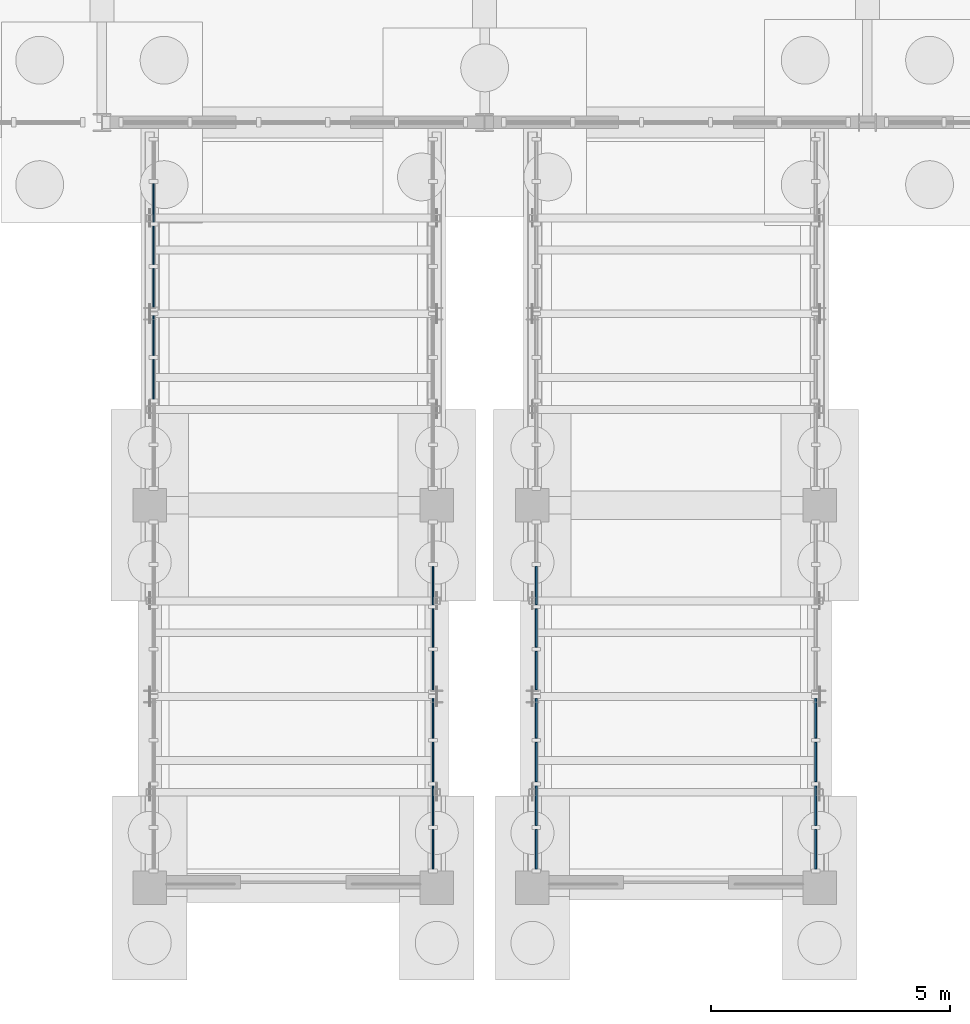
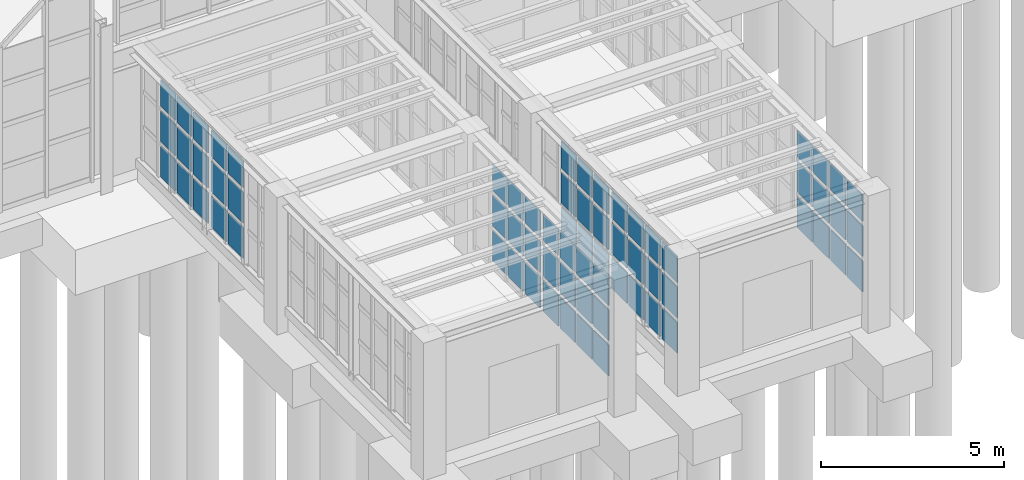
# One storey, part 80 of 129: 69 plates, 7 elements without a shape of their own.
"""IFC4 building model written with IfcOpenShell, lengths in metres."""

from ifc_helpers import new_model, si_unit, direction, frame, origin, origin_2d, place, context, subcontext, project, spatial, rectangle, extrude, material, layer, layer_set, type_object, element, aggregate, save


model = new_model("IFC4")

# Units and contexts
model_context = context("Model", 3, precision=1e-05, world=origin(), true_north=direction((0.0, 1.0)))
body_context = subcontext(model_context, "Body", "Model", "MODEL_VIEW")
ifc_project = project(units=[si_unit("LENGTHUNIT", "METRE"), si_unit("AREAUNIT", "SQUARE_METRE"), si_unit("VOLUMEUNIT", "CUBIC_METRE"), si_unit("PLANEANGLEUNIT", "RADIAN"), si_unit("MASSUNIT", "GRAM", prefix="KILO")], contexts=[model_context])

# Site, building, storey
site_placement = place(None, origin())
site = spatial("IfcSite", under=ifc_project, at=site_placement, CompositionType="ELEMENT")
building_placement = place(site_placement, origin())
building = spatial("IfcBuilding", under=site, at=building_placement, Name="Sitalva Quay Ferry Terminal", CompositionType="ELEMENT")
storey_placement = place(building_placement, origin())
storey = spatial("IfcBuildingStorey", under=building, at=storey_placement, Name="L01", CompositionType="ELEMENT", Elevation=0.0)

# Curtain wall, plates
ifc_material_1 = material(Name="Anodised Aluminium & Low-E Glazing", Category="aluminium")
ifc_layer_1 = layer(ifc_material_1, 0.159912109375)
ifc_layer_set_1 = layer_set([ifc_layer_1], Name="Anodised Aluminium & Low-E Glazing")
curtain_wall_type = type_object("IfcCurtainWallType", Name="CW_Bridge_Glazed", PredefinedType="USERDEFINED", material=ifc_layer_set_1)
curtain_wall_1_placement = place(storey_placement, origin())
curtain_wall_1 = element("IfcCurtainWall", 1, at=curtain_wall_1_placement, inside=storey, type_object=curtain_wall_type, Name="Boarding bridge BB2 W3 side glazing (CW-L01-043)", ObjectType="CURTAIN_WALL", PredefinedType="USERDEFINED")
ifc_material_2 = material(Name="Acoustic Laminated Marine Glazing", Category="glass")
ifc_layer_2 = layer(ifc_material_2, 0.033935546875)
ifc_layer_set_2 = layer_set([ifc_layer_2], Name="Acoustic Laminated Marine Glazing")
plate_type = type_object("IfcPlateType", Name="Panel_Marine_IGU_34", PredefinedType="CURTAIN_PANEL", material=ifc_layer_set_2)
plate_1_placement = place(storey_placement, frame((51.080078125, 0.63134765625, 0.39990234375), z_axis=(0.0, 0.0, 1.0), x_axis=(0.0, 1.0, 0.0)))
plate_1 = element("IfcPlate", 2, at=plate_1_placement, type_object=plate_type, Name="CW-L01-043-P2-0", PredefinedType="CURTAIN_PANEL", context=body_context, shape_type="SweptSolid", body=[
    extrude(rectangle(XDim=0.83251953125, YDim=0.033935546875, at=origin_2d()), origin(), (0.0, 0.0, 1.0), 1.026611328125),
])
plate_2_placement = place(storey_placement, frame((51.080078125, 0.63134765625, 1.57666015625), z_axis=(0.0, 0.0, 1.0), x_axis=(0.0, 1.0, 0.0)))
plate_2 = element("IfcPlate", 3, at=plate_2_placement, type_object=plate_type, Name="CW-L01-043-P2-1", PredefinedType="CURTAIN_PANEL", context=body_context, shape_type="SweptSolid", body=[
    extrude(rectangle(XDim=0.83251953125, YDim=0.033935546875, at=origin_2d()), origin(), (0.0, 0.0, 1.0), 1.026611328125),
])
plate_3_placement = place(storey_placement, frame((51.080078125, 0.63134765625, 2.75341796875), z_axis=(0.0, 0.0, 1.0), x_axis=(0.0, 1.0, 0.0)))
plate_3 = element("IfcPlate", 4, at=plate_3_placement, type_object=plate_type, Name="CW-L01-043-P2-2", PredefinedType="CURTAIN_PANEL", context=body_context, shape_type="SweptSolid", body=[
    extrude(rectangle(XDim=0.83251953125, YDim=0.033935546875, at=origin_2d()), origin(), (0.0, 0.0, 1.0), 0.876708984375),
])
plate_4_placement = place(storey_placement, frame((51.080078125, 1.543701171875, 0.39990234375), z_axis=(0.0, 0.0, 1.0), x_axis=(0.0, 1.0, 0.0)))
plate_4 = element("IfcPlate", 5, at=plate_4_placement, type_object=plate_type, Name="CW-L01-043-P3-0", PredefinedType="CURTAIN_PANEL", context=body_context, shape_type="SweptSolid", body=[
    extrude(rectangle(XDim=0.83251953125, YDim=0.033935546875, at=origin_2d()), origin(), (0.0, 0.0, 1.0), 1.026611328125),
])
plate_5_placement = place(storey_placement, frame((51.080078125, 1.543701171875, 1.57666015625), z_axis=(0.0, 0.0, 1.0), x_axis=(0.0, 1.0, 0.0)))
plate_5 = element("IfcPlate", 6, at=plate_5_placement, type_object=plate_type, Name="CW-L01-043-P3-1", PredefinedType="CURTAIN_PANEL", context=body_context, shape_type="SweptSolid", body=[
    extrude(rectangle(XDim=0.83251953125, YDim=0.033935546875, at=origin_2d()), origin(), (0.0, 0.0, 1.0), 1.026611328125),
])
plate_6_placement = place(storey_placement, frame((51.080078125, 1.543701171875, 2.75341796875), z_axis=(0.0, 0.0, 1.0), x_axis=(0.0, 1.0, 0.0)))
plate_6 = element("IfcPlate", 7, at=plate_6_placement, type_object=plate_type, Name="CW-L01-043-P3-2", PredefinedType="CURTAIN_PANEL", context=body_context, shape_type="SweptSolid", body=[
    extrude(rectangle(XDim=0.83251953125, YDim=0.033935546875, at=origin_2d()), origin(), (0.0, 0.0, 1.0), 0.876708984375),
])
aggregate(curtain_wall_1, [plate_1, plate_2, plate_3, plate_4, plate_5, plate_6])

curtain_wall_2_placement = place(storey_placement, origin())
curtain_wall_2 = element("IfcCurtainWall", 8, at=curtain_wall_2_placement, inside=storey, type_object=curtain_wall_type, Name="Boarding bridge BB2 W4 side glazing (CW-L01-044)", ObjectType="CURTAIN_WALL", PredefinedType="USERDEFINED")
plate_7_placement = place(storey_placement, frame((51.080078125, 2.543701171875, 0.39990234375), z_axis=(0.0, 0.0, 1.0), x_axis=(0.0, 1.0, 0.0)))
plate_7 = element("IfcPlate", 9, at=plate_7_placement, type_object=plate_type, Name="CW-L01-044-P0-0", PredefinedType="CURTAIN_PANEL", context=body_context, shape_type="SweptSolid", body=[
    extrude(rectangle(XDim=0.8076171875, YDim=0.033935546875, at=origin_2d()), origin(), (0.0, 0.0, 1.0), 1.026611328125),
])
plate_8_placement = place(storey_placement, frame((51.080078125, 2.543701171875, 1.57666015625), z_axis=(0.0, 0.0, 1.0), x_axis=(0.0, 1.0, 0.0)))
plate_8 = element("IfcPlate", 10, at=plate_8_placement, type_object=plate_type, Name="CW-L01-044-P0-1", PredefinedType="CURTAIN_PANEL", context=body_context, shape_type="SweptSolid", body=[
    extrude(rectangle(XDim=0.8076171875, YDim=0.033935546875, at=origin_2d()), origin(), (0.0, 0.0, 1.0), 1.026611328125),
])
plate_9_placement = place(storey_placement, frame((51.080078125, 2.543701171875, 2.75341796875), z_axis=(0.0, 0.0, 1.0), x_axis=(0.0, 1.0, 0.0)))
plate_9 = element("IfcPlate", 11, at=plate_9_placement, type_object=plate_type, Name="CW-L01-044-P0-2", PredefinedType="CURTAIN_PANEL", context=body_context, shape_type="SweptSolid", body=[
    extrude(rectangle(XDim=0.8076171875, YDim=0.033935546875, at=origin_2d()), origin(), (0.0, 0.0, 1.0), 0.876708984375),
])
plate_10_placement = place(storey_placement, frame((51.080078125, 3.43115234375, 0.39990234375), z_axis=(0.0, 0.0, 1.0), x_axis=(0.0, 1.0, 0.0)))
plate_10 = element("IfcPlate", 12, at=plate_10_placement, type_object=plate_type, Name="CW-L01-044-P1-0", PredefinedType="CURTAIN_PANEL", context=body_context, shape_type="SweptSolid", body=[
    extrude(rectangle(XDim=0.8076171875, YDim=0.033935546875, at=origin_2d()), origin(), (0.0, 0.0, 1.0), 1.026611328125),
])
plate_11_placement = place(storey_placement, frame((51.080078125, 3.43115234375, 1.57666015625), z_axis=(0.0, 0.0, 1.0), x_axis=(0.0, 1.0, 0.0)))
plate_11 = element("IfcPlate", 13, at=plate_11_placement, type_object=plate_type, Name="CW-L01-044-P1-1", PredefinedType="CURTAIN_PANEL", context=body_context, shape_type="SweptSolid", body=[
    extrude(rectangle(XDim=0.8076171875, YDim=0.033935546875, at=origin_2d()), origin(), (0.0, 0.0, 1.0), 1.026611328125),
])
plate_12_placement = place(storey_placement, frame((51.080078125, 3.43115234375, 2.75341796875), z_axis=(0.0, 0.0, 1.0), x_axis=(0.0, 1.0, 0.0)))
plate_12 = element("IfcPlate", 14, at=plate_12_placement, type_object=plate_type, Name="CW-L01-044-P1-2", PredefinedType="CURTAIN_PANEL", context=body_context, shape_type="SweptSolid", body=[
    extrude(rectangle(XDim=0.8076171875, YDim=0.033935546875, at=origin_2d()), origin(), (0.0, 0.0, 1.0), 0.876708984375),
])
plate_13_placement = place(storey_placement, frame((51.080078125, 4.31884765625, 0.39990234375), z_axis=(0.0, 0.0, 1.0), x_axis=(0.0, 1.0, 0.0)))
plate_13 = element("IfcPlate", 15, at=plate_13_placement, type_object=plate_type, Name="CW-L01-044-P2-0", PredefinedType="CURTAIN_PANEL", context=body_context, shape_type="SweptSolid", body=[
    extrude(rectangle(XDim=0.8076171875, YDim=0.033935546875, at=origin_2d()), origin(), (0.0, 0.0, 1.0), 1.026611328125),
])
plate_14_placement = place(storey_placement, frame((51.080078125, 4.31884765625, 1.57666015625), z_axis=(0.0, 0.0, 1.0), x_axis=(0.0, 1.0, 0.0)))
plate_14 = element("IfcPlate", 16, at=plate_14_placement, type_object=plate_type, Name="CW-L01-044-P2-1", PredefinedType="CURTAIN_PANEL", context=body_context, shape_type="SweptSolid", body=[
    extrude(rectangle(XDim=0.8076171875, YDim=0.033935546875, at=origin_2d()), origin(), (0.0, 0.0, 1.0), 1.026611328125),
])
plate_15_placement = place(storey_placement, frame((51.080078125, 4.31884765625, 2.75341796875), z_axis=(0.0, 0.0, 1.0), x_axis=(0.0, 1.0, 0.0)))
plate_15 = element("IfcPlate", 17, at=plate_15_placement, type_object=plate_type, Name="CW-L01-044-P2-2", PredefinedType="CURTAIN_PANEL", context=body_context, shape_type="SweptSolid", body=[
    extrude(rectangle(XDim=0.8076171875, YDim=0.033935546875, at=origin_2d()), origin(), (0.0, 0.0, 1.0), 0.876708984375),
])
aggregate(curtain_wall_2, [plate_7, plate_8, plate_9, plate_10, plate_11, plate_12, plate_13, plate_14, plate_15])

curtain_wall_3_placement = place(storey_placement, origin())
curtain_wall_3 = element("IfcCurtainWall", 18, at=curtain_wall_3_placement, inside=storey, type_object=curtain_wall_type, Name="Boarding bridge BB2 E1 side glazing (CW-L01-045)", ObjectType="CURTAIN_WALL", PredefinedType="USERDEFINED")
plate_16_placement = place(storey_placement, frame((56.919921875, -9.19384765625, 0.39990234375), z_axis=(0.0, 0.0, 1.0), x_axis=(0.0, 1.0, 0.0)))
plate_16 = element("IfcPlate", 19, at=plate_16_placement, type_object=plate_type, Name="CW-L01-045-P0-0", PredefinedType="CURTAIN_PANEL", context=body_context, shape_type="SweptSolid", body=[
    extrude(rectangle(XDim=0.83251953125, YDim=0.033935546875, at=origin_2d()), origin(), (0.0, 0.0, 1.0), 1.026611328125),
])
plate_17_placement = place(storey_placement, frame((56.919921875, -9.19384765625, 1.57666015625), z_axis=(0.0, 0.0, 1.0), x_axis=(0.0, 1.0, 0.0)))
plate_17 = element("IfcPlate", 20, at=plate_17_placement, type_object=plate_type, Name="CW-L01-045-P0-1", PredefinedType="CURTAIN_PANEL", context=body_context, shape_type="SweptSolid", body=[
    extrude(rectangle(XDim=0.83251953125, YDim=0.033935546875, at=origin_2d()), origin(), (0.0, 0.0, 1.0), 1.026611328125),
])
plate_18_placement = place(storey_placement, frame((56.919921875, -9.19384765625, 2.75341796875), z_axis=(0.0, 0.0, 1.0), x_axis=(0.0, 1.0, 0.0)))
plate_18 = element("IfcPlate", 21, at=plate_18_placement, type_object=plate_type, Name="CW-L01-045-P0-2", PredefinedType="CURTAIN_PANEL", context=body_context, shape_type="SweptSolid", body=[
    extrude(rectangle(XDim=0.83251953125, YDim=0.033935546875, at=origin_2d()), origin(), (0.0, 0.0, 1.0), 0.876708984375),
])
plate_19_placement = place(storey_placement, frame((56.919921875, -8.28125, 0.39990234375), z_axis=(0.0, 0.0, 1.0), x_axis=(0.0, 1.0, 0.0)))
plate_19 = element("IfcPlate", 22, at=plate_19_placement, type_object=plate_type, Name="CW-L01-045-P1-0", PredefinedType="CURTAIN_PANEL", context=body_context, shape_type="SweptSolid", body=[
    extrude(rectangle(XDim=0.83251953125, YDim=0.033935546875, at=origin_2d()), origin(), (0.0, 0.0, 1.0), 1.026611328125),
])
plate_20_placement = place(storey_placement, frame((56.919921875, -8.28125, 1.57666015625), z_axis=(0.0, 0.0, 1.0), x_axis=(0.0, 1.0, 0.0)))
plate_20 = element("IfcPlate", 23, at=plate_20_placement, type_object=plate_type, Name="CW-L01-045-P1-1", PredefinedType="CURTAIN_PANEL", context=body_context, shape_type="SweptSolid", body=[
    extrude(rectangle(XDim=0.83251953125, YDim=0.033935546875, at=origin_2d()), origin(), (0.0, 0.0, 1.0), 1.026611328125),
])
plate_21_placement = place(storey_placement, frame((56.919921875, -8.28125, 2.75341796875), z_axis=(0.0, 0.0, 1.0), x_axis=(0.0, 1.0, 0.0)))
plate_21 = element("IfcPlate", 24, at=plate_21_placement, type_object=plate_type, Name="CW-L01-045-P1-2", PredefinedType="CURTAIN_PANEL", context=body_context, shape_type="SweptSolid", body=[
    extrude(rectangle(XDim=0.83251953125, YDim=0.033935546875, at=origin_2d()), origin(), (0.0, 0.0, 1.0), 0.876708984375),
])
plate_22_placement = place(storey_placement, frame((56.919921875, -7.36865234375, 0.39990234375), z_axis=(0.0, 0.0, 1.0), x_axis=(0.0, 1.0, 0.0)))
plate_22 = element("IfcPlate", 25, at=plate_22_placement, type_object=plate_type, Name="CW-L01-045-P2-0", PredefinedType="CURTAIN_PANEL", context=body_context, shape_type="SweptSolid", body=[
    extrude(rectangle(XDim=0.83251953125, YDim=0.033935546875, at=origin_2d()), origin(), (0.0, 0.0, 1.0), 1.026611328125),
])
plate_23_placement = place(storey_placement, frame((56.919921875, -7.36865234375, 1.57666015625), z_axis=(0.0, 0.0, 1.0), x_axis=(0.0, 1.0, 0.0)))
plate_23 = element("IfcPlate", 26, at=plate_23_placement, type_object=plate_type, Name="CW-L01-045-P2-1", PredefinedType="CURTAIN_PANEL", context=body_context, shape_type="SweptSolid", body=[
    extrude(rectangle(XDim=0.83251953125, YDim=0.033935546875, at=origin_2d()), origin(), (0.0, 0.0, 1.0), 1.026611328125),
])
plate_24_placement = place(storey_placement, frame((56.919921875, -7.36865234375, 2.75341796875), z_axis=(0.0, 0.0, 1.0), x_axis=(0.0, 1.0, 0.0)))
plate_24 = element("IfcPlate", 27, at=plate_24_placement, type_object=plate_type, Name="CW-L01-045-P2-2", PredefinedType="CURTAIN_PANEL", context=body_context, shape_type="SweptSolid", body=[
    extrude(rectangle(XDim=0.83251953125, YDim=0.033935546875, at=origin_2d()), origin(), (0.0, 0.0, 1.0), 0.876708984375),
])
plate_25_placement = place(storey_placement, frame((56.919921875, -6.456298828125, 0.39990234375), z_axis=(0.0, 0.0, 1.0), x_axis=(0.0, 1.0, 0.0)))
plate_25 = element("IfcPlate", 28, at=plate_25_placement, type_object=plate_type, Name="CW-L01-045-P3-0", PredefinedType="CURTAIN_PANEL", context=body_context, shape_type="SweptSolid", body=[
    extrude(rectangle(XDim=0.83251953125, YDim=0.033935546875, at=origin_2d()), origin(), (0.0, 0.0, 1.0), 1.026611328125),
])
plate_26_placement = place(storey_placement, frame((56.919921875, -6.456298828125, 1.57666015625), z_axis=(0.0, 0.0, 1.0), x_axis=(0.0, 1.0, 0.0)))
plate_26 = element("IfcPlate", 29, at=plate_26_placement, type_object=plate_type, Name="CW-L01-045-P3-1", PredefinedType="CURTAIN_PANEL", context=body_context, shape_type="SweptSolid", body=[
    extrude(rectangle(XDim=0.83251953125, YDim=0.033935546875, at=origin_2d()), origin(), (0.0, 0.0, 1.0), 1.026611328125),
])
plate_27_placement = place(storey_placement, frame((56.919921875, -6.456298828125, 2.75341796875), z_axis=(0.0, 0.0, 1.0), x_axis=(0.0, 1.0, 0.0)))
plate_27 = element("IfcPlate", 30, at=plate_27_placement, type_object=plate_type, Name="CW-L01-045-P3-2", PredefinedType="CURTAIN_PANEL", context=body_context, shape_type="SweptSolid", body=[
    extrude(rectangle(XDim=0.83251953125, YDim=0.033935546875, at=origin_2d()), origin(), (0.0, 0.0, 1.0), 0.876708984375),
])
aggregate(curtain_wall_3, [plate_16, plate_17, plate_18, plate_19, plate_20, plate_21, plate_22, plate_23, plate_24, plate_25, plate_26, plate_27])

curtain_wall_4_placement = place(storey_placement, origin())
curtain_wall_4 = element("IfcCurtainWall", 31, at=curtain_wall_4_placement, inside=storey, type_object=curtain_wall_type, Name="Boarding bridge BB2 E2 side glazing (CW-L01-046)", ObjectType="CURTAIN_WALL", PredefinedType="USERDEFINED")
plate_28_placement = place(storey_placement, frame((56.919921875, -5.456298828125, 0.39990234375), z_axis=(0.0, 0.0, 1.0), x_axis=(0.0, 1.0, 0.0)))
plate_28 = element("IfcPlate", 32, at=plate_28_placement, type_object=plate_type, Name="CW-L01-046-P0-0", PredefinedType="CURTAIN_PANEL", context=body_context, shape_type="SweptSolid", body=[
    extrude(rectangle(XDim=0.8076171875, YDim=0.033935546875, at=origin_2d()), origin(), (0.0, 0.0, 1.0), 1.026611328125),
])
plate_29_placement = place(storey_placement, frame((56.919921875, -5.456298828125, 1.57666015625), z_axis=(0.0, 0.0, 1.0), x_axis=(0.0, 1.0, 0.0)))
plate_29 = element("IfcPlate", 33, at=plate_29_placement, type_object=plate_type, Name="CW-L01-046-P0-1", PredefinedType="CURTAIN_PANEL", context=body_context, shape_type="SweptSolid", body=[
    extrude(rectangle(XDim=0.8076171875, YDim=0.033935546875, at=origin_2d()), origin(), (0.0, 0.0, 1.0), 1.026611328125),
])
plate_30_placement = place(storey_placement, frame((56.919921875, -5.456298828125, 2.75341796875), z_axis=(0.0, 0.0, 1.0), x_axis=(0.0, 1.0, 0.0)))
plate_30 = element("IfcPlate", 34, at=plate_30_placement, type_object=plate_type, Name="CW-L01-046-P0-2", PredefinedType="CURTAIN_PANEL", context=body_context, shape_type="SweptSolid", body=[
    extrude(rectangle(XDim=0.8076171875, YDim=0.033935546875, at=origin_2d()), origin(), (0.0, 0.0, 1.0), 0.876708984375),
])
plate_31_placement = place(storey_placement, frame((56.919921875, -4.56884765625, 0.39990234375), z_axis=(0.0, 0.0, 1.0), x_axis=(0.0, 1.0, 0.0)))
plate_31 = element("IfcPlate", 35, at=plate_31_placement, type_object=plate_type, Name="CW-L01-046-P1-0", PredefinedType="CURTAIN_PANEL", context=body_context, shape_type="SweptSolid", body=[
    extrude(rectangle(XDim=0.8076171875, YDim=0.033935546875, at=origin_2d()), origin(), (0.0, 0.0, 1.0), 1.026611328125),
])
plate_32_placement = place(storey_placement, frame((56.919921875, -4.56884765625, 1.57666015625), z_axis=(0.0, 0.0, 1.0), x_axis=(0.0, 1.0, 0.0)))
plate_32 = element("IfcPlate", 36, at=plate_32_placement, type_object=plate_type, Name="CW-L01-046-P1-1", PredefinedType="CURTAIN_PANEL", context=body_context, shape_type="SweptSolid", body=[
    extrude(rectangle(XDim=0.8076171875, YDim=0.033935546875, at=origin_2d()), origin(), (0.0, 0.0, 1.0), 1.026611328125),
])
plate_33_placement = place(storey_placement, frame((56.919921875, -4.56884765625, 2.75341796875), z_axis=(0.0, 0.0, 1.0), x_axis=(0.0, 1.0, 0.0)))
plate_33 = element("IfcPlate", 37, at=plate_33_placement, type_object=plate_type, Name="CW-L01-046-P1-2", PredefinedType="CURTAIN_PANEL", context=body_context, shape_type="SweptSolid", body=[
    extrude(rectangle(XDim=0.8076171875, YDim=0.033935546875, at=origin_2d()), origin(), (0.0, 0.0, 1.0), 0.876708984375),
])
plate_34_placement = place(storey_placement, frame((56.919921875, -3.68115234375, 0.39990234375), z_axis=(0.0, 0.0, 1.0), x_axis=(0.0, 1.0, 0.0)))
plate_34 = element("IfcPlate", 38, at=plate_34_placement, type_object=plate_type, Name="CW-L01-046-P2-0", PredefinedType="CURTAIN_PANEL", context=body_context, shape_type="SweptSolid", body=[
    extrude(rectangle(XDim=0.8076171875, YDim=0.033935546875, at=origin_2d()), origin(), (0.0, 0.0, 1.0), 1.026611328125),
])
plate_35_placement = place(storey_placement, frame((56.919921875, -3.68115234375, 1.57666015625), z_axis=(0.0, 0.0, 1.0), x_axis=(0.0, 1.0, 0.0)))
plate_35 = element("IfcPlate", 39, at=plate_35_placement, type_object=plate_type, Name="CW-L01-046-P2-1", PredefinedType="CURTAIN_PANEL", context=body_context, shape_type="SweptSolid", body=[
    extrude(rectangle(XDim=0.8076171875, YDim=0.033935546875, at=origin_2d()), origin(), (0.0, 0.0, 1.0), 1.026611328125),
])
plate_36_placement = place(storey_placement, frame((56.919921875, -3.68115234375, 2.75341796875), z_axis=(0.0, 0.0, 1.0), x_axis=(0.0, 1.0, 0.0)))
plate_36 = element("IfcPlate", 40, at=plate_36_placement, type_object=plate_type, Name="CW-L01-046-P2-2", PredefinedType="CURTAIN_PANEL", context=body_context, shape_type="SweptSolid", body=[
    extrude(rectangle(XDim=0.8076171875, YDim=0.033935546875, at=origin_2d()), origin(), (0.0, 0.0, 1.0), 0.876708984375),
])
aggregate(curtain_wall_4, [plate_28, plate_29, plate_30, plate_31, plate_32, plate_33, plate_34, plate_35, plate_36])

curtain_wall_5_placement = place(storey_placement, origin())
curtain_wall_5 = element("IfcCurtainWall", 41, at=curtain_wall_5_placement, inside=storey, type_object=curtain_wall_type, Name="Boarding bridge BB3 W1 side glazing (CW-L01-049)", ObjectType="CURTAIN_WALL", PredefinedType="USERDEFINED")
plate_37_placement = place(storey_placement, frame((59.080078125, -9.19384765625, 0.39990234375), z_axis=(0.0, 0.0, 1.0), x_axis=(0.0, 1.0, 0.0)))
plate_37 = element("IfcPlate", 42, at=plate_37_placement, type_object=plate_type, Name="CW-L01-049-P0-0", PredefinedType="CURTAIN_PANEL", context=body_context, shape_type="SweptSolid", body=[
    extrude(rectangle(XDim=0.83251953125, YDim=0.033935546875, at=origin_2d()), origin(), (0.0, 0.0, 1.0), 1.026611328125),
])
plate_38_placement = place(storey_placement, frame((59.080078125, -9.19384765625, 1.57666015625), z_axis=(0.0, 0.0, 1.0), x_axis=(0.0, 1.0, 0.0)))
plate_38 = element("IfcPlate", 43, at=plate_38_placement, type_object=plate_type, Name="CW-L01-049-P0-1", PredefinedType="CURTAIN_PANEL", context=body_context, shape_type="SweptSolid", body=[
    extrude(rectangle(XDim=0.83251953125, YDim=0.033935546875, at=origin_2d()), origin(), (0.0, 0.0, 1.0), 1.026611328125),
])
plate_39_placement = place(storey_placement, frame((59.080078125, -9.19384765625, 2.75341796875), z_axis=(0.0, 0.0, 1.0), x_axis=(0.0, 1.0, 0.0)))
plate_39 = element("IfcPlate", 44, at=plate_39_placement, type_object=plate_type, Name="CW-L01-049-P0-2", PredefinedType="CURTAIN_PANEL", context=body_context, shape_type="SweptSolid", body=[
    extrude(rectangle(XDim=0.83251953125, YDim=0.033935546875, at=origin_2d()), origin(), (0.0, 0.0, 1.0), 0.876708984375),
])
plate_40_placement = place(storey_placement, frame((59.080078125, -8.28125, 0.39990234375), z_axis=(0.0, 0.0, 1.0), x_axis=(0.0, 1.0, 0.0)))
plate_40 = element("IfcPlate", 45, at=plate_40_placement, type_object=plate_type, Name="CW-L01-049-P1-0", PredefinedType="CURTAIN_PANEL", context=body_context, shape_type="SweptSolid", body=[
    extrude(rectangle(XDim=0.83251953125, YDim=0.033935546875, at=origin_2d()), origin(), (0.0, 0.0, 1.0), 1.026611328125),
])
plate_41_placement = place(storey_placement, frame((59.080078125, -8.28125, 1.57666015625), z_axis=(0.0, 0.0, 1.0), x_axis=(0.0, 1.0, 0.0)))
plate_41 = element("IfcPlate", 46, at=plate_41_placement, type_object=plate_type, Name="CW-L01-049-P1-1", PredefinedType="CURTAIN_PANEL", context=body_context, shape_type="SweptSolid", body=[
    extrude(rectangle(XDim=0.83251953125, YDim=0.033935546875, at=origin_2d()), origin(), (0.0, 0.0, 1.0), 1.026611328125),
])
plate_42_placement = place(storey_placement, frame((59.080078125, -8.28125, 2.75341796875), z_axis=(0.0, 0.0, 1.0), x_axis=(0.0, 1.0, 0.0)))
plate_42 = element("IfcPlate", 47, at=plate_42_placement, type_object=plate_type, Name="CW-L01-049-P1-2", PredefinedType="CURTAIN_PANEL", context=body_context, shape_type="SweptSolid", body=[
    extrude(rectangle(XDim=0.83251953125, YDim=0.033935546875, at=origin_2d()), origin(), (0.0, 0.0, 1.0), 0.876708984375),
])
plate_43_placement = place(storey_placement, frame((59.080078125, -7.36865234375, 0.39990234375), z_axis=(0.0, 0.0, 1.0), x_axis=(0.0, 1.0, 0.0)))
plate_43 = element("IfcPlate", 48, at=plate_43_placement, type_object=plate_type, Name="CW-L01-049-P2-0", PredefinedType="CURTAIN_PANEL", context=body_context, shape_type="SweptSolid", body=[
    extrude(rectangle(XDim=0.83251953125, YDim=0.033935546875, at=origin_2d()), origin(), (0.0, 0.0, 1.0), 1.026611328125),
])
plate_44_placement = place(storey_placement, frame((59.080078125, -7.36865234375, 1.57666015625), z_axis=(0.0, 0.0, 1.0), x_axis=(0.0, 1.0, 0.0)))
plate_44 = element("IfcPlate", 49, at=plate_44_placement, type_object=plate_type, Name="CW-L01-049-P2-1", PredefinedType="CURTAIN_PANEL", context=body_context, shape_type="SweptSolid", body=[
    extrude(rectangle(XDim=0.83251953125, YDim=0.033935546875, at=origin_2d()), origin(), (0.0, 0.0, 1.0), 1.026611328125),
])
plate_45_placement = place(storey_placement, frame((59.080078125, -7.36865234375, 2.75341796875), z_axis=(0.0, 0.0, 1.0), x_axis=(0.0, 1.0, 0.0)))
plate_45 = element("IfcPlate", 50, at=plate_45_placement, type_object=plate_type, Name="CW-L01-049-P2-2", PredefinedType="CURTAIN_PANEL", context=body_context, shape_type="SweptSolid", body=[
    extrude(rectangle(XDim=0.83251953125, YDim=0.033935546875, at=origin_2d()), origin(), (0.0, 0.0, 1.0), 0.876708984375),
])
plate_46_placement = place(storey_placement, frame((59.080078125, -6.456298828125, 0.39990234375), z_axis=(0.0, 0.0, 1.0), x_axis=(0.0, 1.0, 0.0)))
plate_46 = element("IfcPlate", 51, at=plate_46_placement, type_object=plate_type, Name="CW-L01-049-P3-0", PredefinedType="CURTAIN_PANEL", context=body_context, shape_type="SweptSolid", body=[
    extrude(rectangle(XDim=0.83251953125, YDim=0.033935546875, at=origin_2d()), origin(), (0.0, 0.0, 1.0), 1.026611328125),
])
plate_47_placement = place(storey_placement, frame((59.080078125, -6.456298828125, 1.57666015625), z_axis=(0.0, 0.0, 1.0), x_axis=(0.0, 1.0, 0.0)))
plate_47 = element("IfcPlate", 52, at=plate_47_placement, type_object=plate_type, Name="CW-L01-049-P3-1", PredefinedType="CURTAIN_PANEL", context=body_context, shape_type="SweptSolid", body=[
    extrude(rectangle(XDim=0.83251953125, YDim=0.033935546875, at=origin_2d()), origin(), (0.0, 0.0, 1.0), 1.026611328125),
])
plate_48_placement = place(storey_placement, frame((59.080078125, -6.456298828125, 2.75341796875), z_axis=(0.0, 0.0, 1.0), x_axis=(0.0, 1.0, 0.0)))
plate_48 = element("IfcPlate", 53, at=plate_48_placement, type_object=plate_type, Name="CW-L01-049-P3-2", PredefinedType="CURTAIN_PANEL", context=body_context, shape_type="SweptSolid", body=[
    extrude(rectangle(XDim=0.83251953125, YDim=0.033935546875, at=origin_2d()), origin(), (0.0, 0.0, 1.0), 0.876708984375),
])
aggregate(curtain_wall_5, [plate_37, plate_38, plate_39, plate_40, plate_41, plate_42, plate_43, plate_44, plate_45, plate_46, plate_47, plate_48])

curtain_wall_6_placement = place(storey_placement, origin())
curtain_wall_6 = element("IfcCurtainWall", 54, at=curtain_wall_6_placement, inside=storey, type_object=curtain_wall_type, Name="Boarding bridge BB3 W2 side glazing (CW-L01-050)", ObjectType="CURTAIN_WALL", PredefinedType="USERDEFINED")
plate_49_placement = place(storey_placement, frame((59.080078125, -5.456298828125, 0.39990234375), z_axis=(0.0, 0.0, 1.0), x_axis=(0.0, 1.0, 0.0)))
plate_49 = element("IfcPlate", 55, at=plate_49_placement, type_object=plate_type, Name="CW-L01-050-P0-0", PredefinedType="CURTAIN_PANEL", context=body_context, shape_type="SweptSolid", body=[
    extrude(rectangle(XDim=0.8076171875, YDim=0.033935546875, at=origin_2d()), origin(), (0.0, 0.0, 1.0), 1.026611328125),
])
plate_50_placement = place(storey_placement, frame((59.080078125, -5.456298828125, 1.57666015625), z_axis=(0.0, 0.0, 1.0), x_axis=(0.0, 1.0, 0.0)))
plate_50 = element("IfcPlate", 56, at=plate_50_placement, type_object=plate_type, Name="CW-L01-050-P0-1", PredefinedType="CURTAIN_PANEL", context=body_context, shape_type="SweptSolid", body=[
    extrude(rectangle(XDim=0.8076171875, YDim=0.033935546875, at=origin_2d()), origin(), (0.0, 0.0, 1.0), 1.026611328125),
])
plate_51_placement = place(storey_placement, frame((59.080078125, -5.456298828125, 2.75341796875), z_axis=(0.0, 0.0, 1.0), x_axis=(0.0, 1.0, 0.0)))
plate_51 = element("IfcPlate", 57, at=plate_51_placement, type_object=plate_type, Name="CW-L01-050-P0-2", PredefinedType="CURTAIN_PANEL", context=body_context, shape_type="SweptSolid", body=[
    extrude(rectangle(XDim=0.8076171875, YDim=0.033935546875, at=origin_2d()), origin(), (0.0, 0.0, 1.0), 0.876708984375),
])
plate_52_placement = place(storey_placement, frame((59.080078125, -4.56884765625, 0.39990234375), z_axis=(0.0, 0.0, 1.0), x_axis=(0.0, 1.0, 0.0)))
plate_52 = element("IfcPlate", 58, at=plate_52_placement, type_object=plate_type, Name="CW-L01-050-P1-0", PredefinedType="CURTAIN_PANEL", context=body_context, shape_type="SweptSolid", body=[
    extrude(rectangle(XDim=0.8076171875, YDim=0.033935546875, at=origin_2d()), origin(), (0.0, 0.0, 1.0), 1.026611328125),
])
plate_53_placement = place(storey_placement, frame((59.080078125, -4.56884765625, 1.57666015625), z_axis=(0.0, 0.0, 1.0), x_axis=(0.0, 1.0, 0.0)))
plate_53 = element("IfcPlate", 59, at=plate_53_placement, type_object=plate_type, Name="CW-L01-050-P1-1", PredefinedType="CURTAIN_PANEL", context=body_context, shape_type="SweptSolid", body=[
    extrude(rectangle(XDim=0.8076171875, YDim=0.033935546875, at=origin_2d()), origin(), (0.0, 0.0, 1.0), 1.026611328125),
])
plate_54_placement = place(storey_placement, frame((59.080078125, -4.56884765625, 2.75341796875), z_axis=(0.0, 0.0, 1.0), x_axis=(0.0, 1.0, 0.0)))
plate_54 = element("IfcPlate", 60, at=plate_54_placement, type_object=plate_type, Name="CW-L01-050-P1-2", PredefinedType="CURTAIN_PANEL", context=body_context, shape_type="SweptSolid", body=[
    extrude(rectangle(XDim=0.8076171875, YDim=0.033935546875, at=origin_2d()), origin(), (0.0, 0.0, 1.0), 0.876708984375),
])
plate_55_placement = place(storey_placement, frame((59.080078125, -3.68115234375, 0.39990234375), z_axis=(0.0, 0.0, 1.0), x_axis=(0.0, 1.0, 0.0)))
plate_55 = element("IfcPlate", 61, at=plate_55_placement, type_object=plate_type, Name="CW-L01-050-P2-0", PredefinedType="CURTAIN_PANEL", context=body_context, shape_type="SweptSolid", body=[
    extrude(rectangle(XDim=0.8076171875, YDim=0.033935546875, at=origin_2d()), origin(), (0.0, 0.0, 1.0), 1.026611328125),
])
plate_56_placement = place(storey_placement, frame((59.080078125, -3.68115234375, 1.57666015625), z_axis=(0.0, 0.0, 1.0), x_axis=(0.0, 1.0, 0.0)))
plate_56 = element("IfcPlate", 62, at=plate_56_placement, type_object=plate_type, Name="CW-L01-050-P2-1", PredefinedType="CURTAIN_PANEL", context=body_context, shape_type="SweptSolid", body=[
    extrude(rectangle(XDim=0.8076171875, YDim=0.033935546875, at=origin_2d()), origin(), (0.0, 0.0, 1.0), 1.026611328125),
])
plate_57_placement = place(storey_placement, frame((59.080078125, -3.68115234375, 2.75341796875), z_axis=(0.0, 0.0, 1.0), x_axis=(0.0, 1.0, 0.0)))
plate_57 = element("IfcPlate", 63, at=plate_57_placement, type_object=plate_type, Name="CW-L01-050-P2-2", PredefinedType="CURTAIN_PANEL", context=body_context, shape_type="SweptSolid", body=[
    extrude(rectangle(XDim=0.8076171875, YDim=0.033935546875, at=origin_2d()), origin(), (0.0, 0.0, 1.0), 0.876708984375),
])
aggregate(curtain_wall_6, [plate_49, plate_50, plate_51, plate_52, plate_53, plate_54, plate_55, plate_56, plate_57])

curtain_wall_7_placement = place(storey_placement, origin())
curtain_wall_7 = element("IfcCurtainWall", 64, at=curtain_wall_7_placement, inside=storey, type_object=curtain_wall_type, Name="Boarding bridge BB3 E1 side glazing (CW-L01-053)", ObjectType="CURTAIN_WALL", PredefinedType="USERDEFINED")
plate_58_placement = place(storey_placement, frame((64.919921875, -9.19384765625, 0.39990234375), z_axis=(0.0, 0.0, 1.0), x_axis=(0.0, 1.0, 0.0)))
plate_58 = element("IfcPlate", 65, at=plate_58_placement, type_object=plate_type, Name="CW-L01-053-P0-0", PredefinedType="CURTAIN_PANEL", context=body_context, shape_type="SweptSolid", body=[
    extrude(rectangle(XDim=0.83251953125, YDim=0.033935546875, at=origin_2d()), origin(), (0.0, 0.0, 1.0), 1.026611328125),
])
plate_59_placement = place(storey_placement, frame((64.919921875, -9.19384765625, 1.57666015625), z_axis=(0.0, 0.0, 1.0), x_axis=(0.0, 1.0, 0.0)))
plate_59 = element("IfcPlate", 66, at=plate_59_placement, type_object=plate_type, Name="CW-L01-053-P0-1", PredefinedType="CURTAIN_PANEL", context=body_context, shape_type="SweptSolid", body=[
    extrude(rectangle(XDim=0.83251953125, YDim=0.033935546875, at=origin_2d()), origin(), (0.0, 0.0, 1.0), 1.026611328125),
])
plate_60_placement = place(storey_placement, frame((64.919921875, -9.19384765625, 2.75341796875), z_axis=(0.0, 0.0, 1.0), x_axis=(0.0, 1.0, 0.0)))
plate_60 = element("IfcPlate", 67, at=plate_60_placement, type_object=plate_type, Name="CW-L01-053-P0-2", PredefinedType="CURTAIN_PANEL", context=body_context, shape_type="SweptSolid", body=[
    extrude(rectangle(XDim=0.83251953125, YDim=0.033935546875, at=origin_2d()), origin(), (0.0, 0.0, 1.0), 0.876708984375),
])
plate_61_placement = place(storey_placement, frame((64.919921875, -8.28125, 0.39990234375), z_axis=(0.0, 0.0, 1.0), x_axis=(0.0, 1.0, 0.0)))
plate_61 = element("IfcPlate", 68, at=plate_61_placement, type_object=plate_type, Name="CW-L01-053-P1-0", PredefinedType="CURTAIN_PANEL", context=body_context, shape_type="SweptSolid", body=[
    extrude(rectangle(XDim=0.83251953125, YDim=0.033935546875, at=origin_2d()), origin(), (0.0, 0.0, 1.0), 1.026611328125),
])
plate_62_placement = place(storey_placement, frame((64.919921875, -8.28125, 1.57666015625), z_axis=(0.0, 0.0, 1.0), x_axis=(0.0, 1.0, 0.0)))
plate_62 = element("IfcPlate", 69, at=plate_62_placement, type_object=plate_type, Name="CW-L01-053-P1-1", PredefinedType="CURTAIN_PANEL", context=body_context, shape_type="SweptSolid", body=[
    extrude(rectangle(XDim=0.83251953125, YDim=0.033935546875, at=origin_2d()), origin(), (0.0, 0.0, 1.0), 1.026611328125),
])
plate_63_placement = place(storey_placement, frame((64.919921875, -8.28125, 2.75341796875), z_axis=(0.0, 0.0, 1.0), x_axis=(0.0, 1.0, 0.0)))
plate_63 = element("IfcPlate", 70, at=plate_63_placement, type_object=plate_type, Name="CW-L01-053-P1-2", PredefinedType="CURTAIN_PANEL", context=body_context, shape_type="SweptSolid", body=[
    extrude(rectangle(XDim=0.83251953125, YDim=0.033935546875, at=origin_2d()), origin(), (0.0, 0.0, 1.0), 0.876708984375),
])
plate_64_placement = place(storey_placement, frame((64.919921875, -7.36865234375, 0.39990234375), z_axis=(0.0, 0.0, 1.0), x_axis=(0.0, 1.0, 0.0)))
plate_64 = element("IfcPlate", 71, at=plate_64_placement, type_object=plate_type, Name="CW-L01-053-P2-0", PredefinedType="CURTAIN_PANEL", context=body_context, shape_type="SweptSolid", body=[
    extrude(rectangle(XDim=0.83251953125, YDim=0.033935546875, at=origin_2d()), origin(), (0.0, 0.0, 1.0), 1.026611328125),
])
plate_65_placement = place(storey_placement, frame((64.919921875, -7.36865234375, 1.57666015625), z_axis=(0.0, 0.0, 1.0), x_axis=(0.0, 1.0, 0.0)))
plate_65 = element("IfcPlate", 72, at=plate_65_placement, type_object=plate_type, Name="CW-L01-053-P2-1", PredefinedType="CURTAIN_PANEL", context=body_context, shape_type="SweptSolid", body=[
    extrude(rectangle(XDim=0.83251953125, YDim=0.033935546875, at=origin_2d()), origin(), (0.0, 0.0, 1.0), 1.026611328125),
])
plate_66_placement = place(storey_placement, frame((64.919921875, -7.36865234375, 2.75341796875), z_axis=(0.0, 0.0, 1.0), x_axis=(0.0, 1.0, 0.0)))
plate_66 = element("IfcPlate", 73, at=plate_66_placement, type_object=plate_type, Name="CW-L01-053-P2-2", PredefinedType="CURTAIN_PANEL", context=body_context, shape_type="SweptSolid", body=[
    extrude(rectangle(XDim=0.83251953125, YDim=0.033935546875, at=origin_2d()), origin(), (0.0, 0.0, 1.0), 0.876708984375),
])
plate_67_placement = place(storey_placement, frame((64.919921875, -6.456298828125, 0.39990234375), z_axis=(0.0, 0.0, 1.0), x_axis=(0.0, 1.0, 0.0)))
plate_67 = element("IfcPlate", 74, at=plate_67_placement, type_object=plate_type, Name="CW-L01-053-P3-0", PredefinedType="CURTAIN_PANEL", context=body_context, shape_type="SweptSolid", body=[
    extrude(rectangle(XDim=0.83251953125, YDim=0.033935546875, at=origin_2d()), origin(), (0.0, 0.0, 1.0), 1.026611328125),
])
plate_68_placement = place(storey_placement, frame((64.919921875, -6.456298828125, 1.57666015625), z_axis=(0.0, 0.0, 1.0), x_axis=(0.0, 1.0, 0.0)))
plate_68 = element("IfcPlate", 75, at=plate_68_placement, type_object=plate_type, Name="CW-L01-053-P3-1", PredefinedType="CURTAIN_PANEL", context=body_context, shape_type="SweptSolid", body=[
    extrude(rectangle(XDim=0.83251953125, YDim=0.033935546875, at=origin_2d()), origin(), (0.0, 0.0, 1.0), 1.026611328125),
])
plate_69_placement = place(storey_placement, frame((64.919921875, -6.456298828125, 2.75341796875), z_axis=(0.0, 0.0, 1.0), x_axis=(0.0, 1.0, 0.0)))
plate_69 = element("IfcPlate", 76, at=plate_69_placement, type_object=plate_type, Name="CW-L01-053-P3-2", PredefinedType="CURTAIN_PANEL", context=body_context, shape_type="SweptSolid", body=[
    extrude(rectangle(XDim=0.83251953125, YDim=0.033935546875, at=origin_2d()), origin(), (0.0, 0.0, 1.0), 0.876708984375),
])
aggregate(curtain_wall_7, [plate_58, plate_59, plate_60, plate_61, plate_62, plate_63, plate_64, plate_65, plate_66, plate_67, plate_68, plate_69])

save(model, "model.ifc")
